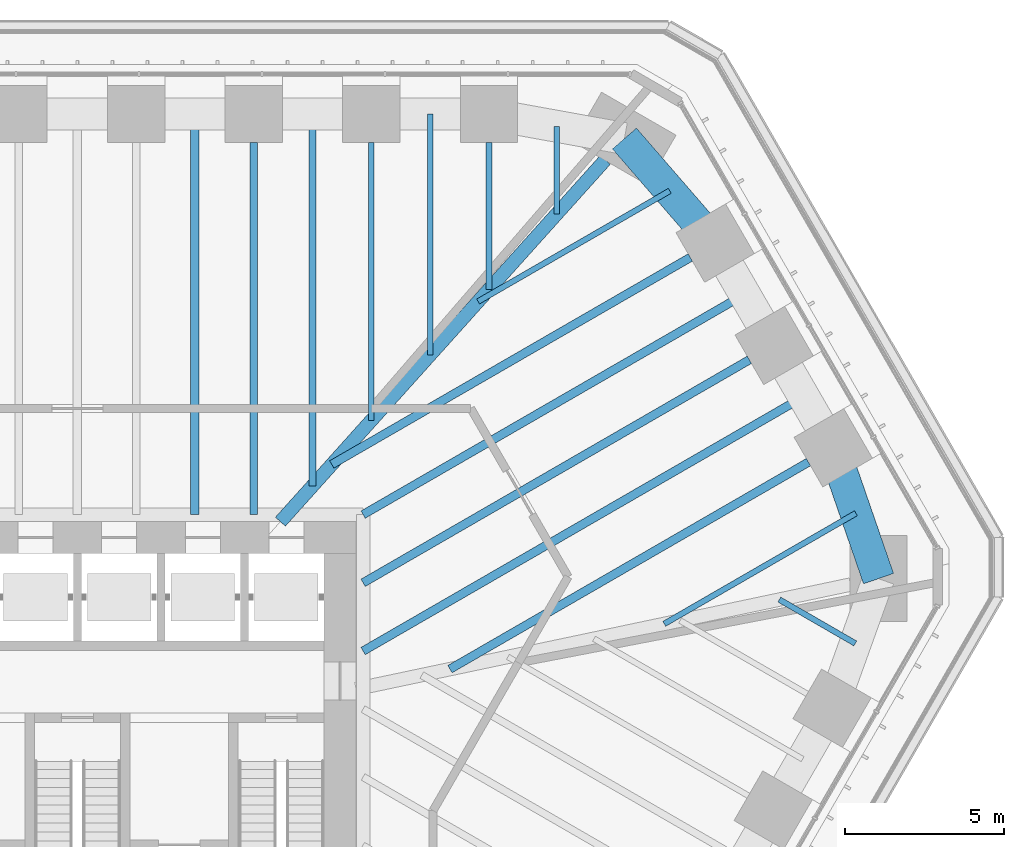
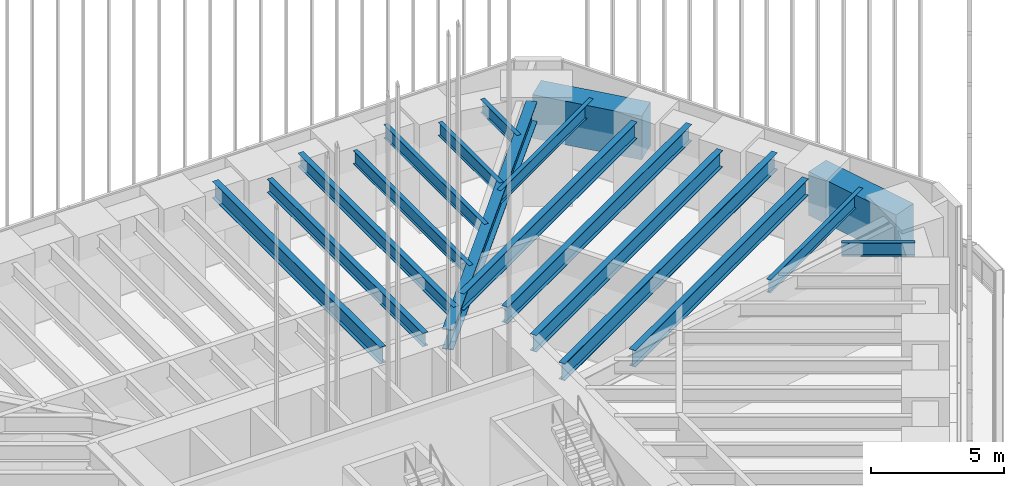
# One storey, part 177 of 228: 18 beams.
"""IFC4 building model written with IfcOpenShell, lengths in metres."""

from ifc_helpers import new_model, si_unit, direction, frame, origin, origin_2d, place, context, subcontext, project, spatial, rectangle, i_section, extrude, material, material_profile, profile_set, type_object, element, save


model = new_model("IFC4")

# Units and contexts
model_context = context("Model", 3, precision=1e-05, world=origin(), true_north=direction((0.0, 1.0)))
body_context = subcontext(model_context, "Body", "Model", "MODEL_VIEW")
ifc_project = project(units=[si_unit("LENGTHUNIT", "METRE"), si_unit("AREAUNIT", "SQUARE_METRE"), si_unit("VOLUMEUNIT", "CUBIC_METRE"), si_unit("PLANEANGLEUNIT", "RADIAN"), si_unit("MASSUNIT", "GRAM", prefix="KILO")], contexts=[model_context])

# Site, building, storey
site_placement = place(None, origin())
site = spatial("IfcSite", under=ifc_project, at=site_placement, CompositionType="ELEMENT")
building_placement = place(site_placement, origin())
building = spatial("IfcBuilding", under=site, at=building_placement, Name="Sandreach Pilgrim Tower", CompositionType="ELEMENT")
storey_placement = place(building_placement, frame((0.0, 0.0, 178.199951171875)))
storey = spatial("IfcBuildingStorey", under=building, at=storey_placement, Name="L44", CompositionType="ELEMENT", Elevation=178.199951171875)

# Beams
ifc_material_1 = material(Name="Steel ASTM A992 Grade 50", Category="steel")
ifc_material_profile_1 = material_profile(ifc_material_1, i_section(OverallWidth=0.421630859375, OverallDepth=0.937255859375, WebThickness=0.0224609375, FlangeThickness=0.039794921875, at=origin_2d()), Name="W36X282")
ifc_profile_set_1 = profile_set([ifc_material_profile_1], Name="Steel ASTM A992 Grade 50")
beam_type_1 = type_object("IfcBeamType", Name="Corner girder W36X282", PredefinedType="BEAM", material=ifc_profile_set_1)
beam_1_placement = place(storey_placement, frame((16.57666015625, 18.4609375, 4.371337890625), z_axis=(-0.668110921251, -0.744061688911, 0.0), x_axis=(0.744061688911, -0.668110921251, 0.0)))
element("IfcBeam", 1, at=beam_1_placement, inside=storey, type_object=beam_type_1, Name="BM L44 CG09", PredefinedType="BEAM", context=body_context, shape_type="SweptSolid", body=[
    extrude(i_section(OverallWidth=0.421630859375, OverallDepth=0.937255859375, WebThickness=0.0224609375, FlangeThickness=0.039794921875, at=origin_2d()), origin(), (0.0, 0.0, 1.0), 15.268798828125),
])
ifc_material_2 = material(Name="Steel ASTM A992 Grade 50", Category="steel")
ifc_material_profile_2 = material_profile(ifc_material_2, i_section(OverallWidth=0.1787109375, OverallDepth=0.60205078125, WebThickness=0.010986328125, FlangeThickness=0.014892578125, at=origin_2d()), Name="W24X62")
ifc_profile_set_2 = profile_set([ifc_material_profile_2], Name="Steel ASTM A992 Grade 50")
beam_type_2 = type_object("IfcBeamType", Name="Floor beam W24X62", PredefinedType="BEAM", material=ifc_profile_set_2)
beam_2_placement = place(storey_placement, frame((9.231201171875, 19.0, 4.5390625), z_axis=(0.0, -1.0, 0.0), x_axis=(1.0, 0.0, 0.0)))
element("IfcBeam", 2, at=beam_2_placement, inside=storey, type_object=beam_type_2, Name="BM L44 F07", PredefinedType="BEAM", context=body_context, shape_type="SweptSolid", body=[
    extrude(i_section(OverallWidth=0.1787109375, OverallDepth=0.60205078125, WebThickness=0.010986328125, FlangeThickness=0.014892578125, at=origin_2d()), origin(), (0.0, 0.0, 1.0), 8.719482421875),
])
beam_3_placement = place(storey_placement, frame((12.923828125, 19.0, 4.5390625), z_axis=(0.0, -1.0, 0.0), x_axis=(1.0, 0.0, 0.0)))
element("IfcBeam", 3, at=beam_3_placement, inside=storey, type_object=beam_type_2, Name="BM L44 F08", PredefinedType="BEAM", context=body_context, shape_type="SweptSolid", body=[
    extrude(i_section(OverallWidth=0.1787109375, OverallDepth=0.60205078125, WebThickness=0.010986328125, FlangeThickness=0.014892578125, at=origin_2d()), origin(), (0.0, 0.0, 1.0), 4.607421875),
])
beam_4_placement = place(storey_placement, frame((11.077392578125, 19.900146484375, 4.5390625), z_axis=(0.0, -1.0, 0.0), x_axis=(1.0, 0.0, 0.0)))
element("IfcBeam", 4, at=beam_4_placement, inside=storey, type_object=beam_type_2, Name="BM L44 FM07", PredefinedType="BEAM", context=body_context, shape_type="SweptSolid", body=[
    extrude(i_section(OverallWidth=0.1787109375, OverallDepth=0.60205078125, WebThickness=0.010986328125, FlangeThickness=0.014892578125, at=origin_2d()), origin(), (0.0, 0.0, 1.0), 7.563720703125),
])
beam_5_placement = place(storey_placement, frame((15.05078125, 19.515380859375, 4.5390625), z_axis=(0.0, -1.0, 0.0), x_axis=(1.0, 0.0, 0.0)))
element("IfcBeam", 5, at=beam_5_placement, inside=storey, type_object=beam_type_2, Name="BM L44 FM08", PredefinedType="BEAM", context=body_context, shape_type="SweptSolid", body=[
    extrude(i_section(OverallWidth=0.1787109375, OverallDepth=0.60205078125, WebThickness=0.010986328125, FlangeThickness=0.014892578125, at=origin_2d()), origin(), (0.0, 0.0, 1.0), 2.75390625),
])
for number, where, z_axis, x_axis, name in (
    (6, (18.6015625, 17.48828125, 4.5390625), (-0.866029381593, -0.499993110171, 0.0), (0.499993110171, -0.866029381593, 0.0), "BM L44 FM09"),
    (7, (24.446044921875, 7.365234375, 4.5390625), (-0.866029381593, -0.499993110171, 0.0), (0.499993110171, -0.866029381593, 0.0), "BM L44 FM12"),
):
    element("IfcBeam", number, at=place(storey_placement, frame(where, z_axis=z_axis, x_axis=x_axis)), inside=storey, type_object=beam_type_2, Name=name, PredefinedType="BEAM", context=body_context, shape_type="SweptSolid", body=[
        extrude(i_section(OverallWidth=0.1787109375, OverallDepth=0.60205078125, WebThickness=0.010986328125, FlangeThickness=0.014892578125, at=origin_2d()), origin(), (0.0, 0.0, 1.0), 6.94921875),
    ])
beam_6_placement = place(storey_placement, frame((24.42626953125, 3.27685546875, 4.5390625), z_axis=(-0.866046803606, 0.49996293259, 0.0), x_axis=(-0.49996293259, -0.866046803606, 0.0)))
element("IfcBeam", 8, at=beam_6_placement, inside=storey, type_object=beam_type_2, Name="BM L44 FM13", PredefinedType="BEAM", context=body_context, shape_type="SweptSolid", body=[
    extrude(i_section(OverallWidth=0.1787109375, OverallDepth=0.60205078125, WebThickness=0.010986328125, FlangeThickness=0.014892578125, at=origin_2d()), origin(), (0.0, 0.0, 1.0), 2.753662109375),
])
ifc_material_3 = material(Name="Steel ASTM A992 Grade 50", Category="steel")
ifc_material_profile_3 = material_profile(ifc_material_3, i_section(OverallWidth=0.23046875, OverallDepth=0.6171875, WebThickness=0.01318359375, FlangeThickness=0.022216796875, at=origin_2d()), Name="W24X94")
ifc_profile_set_3 = profile_set([ifc_material_profile_3], Name="Steel ASTM A992 Grade 50")
beam_type_3 = type_object("IfcBeamType", Name="Floor beam W24X94", PredefinedType="BEAM", material=ifc_profile_set_3)
beam_7_placement = place(storey_placement, frame((5.538818359375, 19.0, 4.531494140625), z_axis=(0.0, -1.0, 0.0), x_axis=(1.0, 0.0, 0.0)))
element("IfcBeam", 9, at=beam_7_placement, inside=storey, type_object=beam_type_3, Name="BM L44 F06", PredefinedType="BEAM", context=body_context, shape_type="SweptSolid", body=[
    extrude(i_section(OverallWidth=0.23046875, OverallDepth=0.6171875, WebThickness=0.01318359375, FlangeThickness=0.022216796875, at=origin_2d()), origin(), (0.0, 0.0, 1.0), 11.677978515625),
])
beam_8_placement = place(storey_placement, frame((7.385009765625, 19.900146484375, 4.531494140625), z_axis=(0.0, -1.0, 0.0), x_axis=(1.0, 0.0, 0.0)))
element("IfcBeam", 10, at=beam_8_placement, inside=storey, type_object=beam_type_3, Name="BM L44 FM06", PredefinedType="BEAM", context=body_context, shape_type="SweptSolid", body=[
    extrude(i_section(OverallWidth=0.23046875, OverallDepth=0.6171875, WebThickness=0.01318359375, FlangeThickness=0.022216796875, at=origin_2d()), origin(), (0.0, 0.0, 1.0), 11.67578125),
])
ifc_material_4 = material(Name="Steel ASTM A992 Grade 50", Category="steel")
ifc_material_profile_4 = material_profile(ifc_material_4, i_section(OverallWidth=0.2666015625, OverallDepth=0.761962890625, WebThickness=0.014404296875, FlangeThickness=0.021484375, at=origin_2d()), Name="W30X116")
ifc_profile_set_4 = profile_set([ifc_material_profile_4], Name="Steel ASTM A992 Grade 50")
beam_type_4 = type_object("IfcBeamType", Name="Floor beam W30X116", PredefinedType="BEAM", material=ifc_profile_set_4)
beam_9_placement = place(storey_placement, frame((19.24560546875, 15.395751953125, 4.458984375), z_axis=(-0.866029195513, -0.499993432475, 0.0), x_axis=(0.499993432475, -0.866029195513, 0.0)))
element("IfcBeam", 11, at=beam_9_placement, inside=storey, type_object=beam_type_4, Name="BM L44 F10", PredefinedType="BEAM", context=body_context, shape_type="SweptSolid", body=[
    extrude(i_section(OverallWidth=0.2666015625, OverallDepth=0.761962890625, WebThickness=0.014404296875, FlangeThickness=0.021484375, at=origin_2d()), origin(), (0.0, 0.0, 1.0), 12.998291015625),
])
beam_10_placement = place(storey_placement, frame((21.100830078125, 12.1826171875, 4.458984375), z_axis=(-0.866019244392, -0.500010668228, 0.0), x_axis=(0.500010668228, -0.866019244392, 0.0)))
element("IfcBeam", 12, at=beam_10_placement, inside=storey, type_object=beam_type_4, Name="BM L44 F11", PredefinedType="BEAM", context=body_context, shape_type="SweptSolid", body=[
    extrude(i_section(OverallWidth=0.2666015625, OverallDepth=0.761962890625, WebThickness=0.014404296875, FlangeThickness=0.021484375, at=origin_2d()), origin(), (0.0, 0.0, 1.0), 14.005126953125),
])
beam_11_placement = place(storey_placement, frame((22.9560546875, 8.96923828125, 4.458984375), z_axis=(-0.86602575807, -0.499999386358, 0.0), x_axis=(0.499999386358, -0.86602575807, 0.0)))
element("IfcBeam", 13, at=beam_11_placement, inside=storey, type_object=beam_type_4, Name="BM L44 F12", PredefinedType="BEAM", context=body_context, shape_type="SweptSolid", body=[
    extrude(i_section(OverallWidth=0.2666015625, OverallDepth=0.761962890625, WebThickness=0.014404296875, FlangeThickness=0.021484375, at=origin_2d()), origin(), (0.0, 0.0, 1.0), 12.99853515625),
])
beam_12_placement = place(storey_placement, frame((3.6923828125, 19.900146484375, 4.458984375), z_axis=(0.0, -1.0, 0.0), x_axis=(1.0, 0.0, 0.0)))
element("IfcBeam", 14, at=beam_12_placement, inside=storey, type_object=beam_type_4, Name="BM L44 FM05", PredefinedType="BEAM", context=body_context, shape_type="SweptSolid", body=[
    extrude(i_section(OverallWidth=0.2666015625, OverallDepth=0.761962890625, WebThickness=0.014404296875, FlangeThickness=0.021484375, at=origin_2d()), origin(), (0.0, 0.0, 1.0), 12.578125),
])
beam_13_placement = place(storey_placement, frame((20.95263671875, 14.2392578125, 4.458984375), z_axis=(-0.866020129177, -0.500009135777, 0.0), x_axis=(0.500009135777, -0.866020129177, 0.0)))
element("IfcBeam", 15, at=beam_13_placement, inside=storey, type_object=beam_type_4, Name="BM L44 FM10", PredefinedType="BEAM", context=body_context, shape_type="SweptSolid", body=[
    extrude(i_section(OverallWidth=0.2666015625, OverallDepth=0.761962890625, WebThickness=0.014404296875, FlangeThickness=0.021484375, at=origin_2d()), origin(), (0.0, 0.0, 1.0), 13.834228515625),
])
ifc_material_5 = material(Name="Steel ASTM A992 Grade 50", Category="steel")
ifc_material_profile_5 = material_profile(ifc_material_5, i_section(OverallWidth=0.2666015625, OverallDepth=0.77978515625, WebThickness=0.0166015625, FlangeThickness=0.030029296875, at=origin_2d()), Name="W30X148")
ifc_profile_set_5 = profile_set([ifc_material_profile_5], Name="Steel ASTM A992 Grade 50")
beam_type_5 = type_object("IfcBeamType", Name="Floor beam W30X148", PredefinedType="BEAM", material=ifc_profile_set_5)
beam_14_placement = place(storey_placement, frame((22.807861328125, 11.02587890625, 4.4501953125), z_axis=(-0.866025516972, -0.499999803953, 0.0), x_axis=(0.499999803953, -0.866025516972, 0.0)))
element("IfcBeam", 16, at=beam_14_placement, inside=storey, type_object=beam_type_5, Name="BM L44 FM11", PredefinedType="BEAM", context=body_context, shape_type="SweptSolid", body=[
    extrude(i_section(OverallWidth=0.2666015625, OverallDepth=0.77978515625, WebThickness=0.0166015625, FlangeThickness=0.030029296875, at=origin_2d()), origin(), (0.0, 0.0, 1.0), 15.97607421875),
])
ifc_material_6 = material(Name="Concrete 10000 psi", Category="concrete")
ifc_material_profile_6 = material_profile(ifc_material_6, rectangle(XDim=1.0, YDim=2.0, at=origin_2d()), Name="RC1000X2000")
ifc_profile_set_6 = profile_set([ifc_material_profile_6], Name="Concrete 10000 psi")
beam_type_6 = type_object("IfcBeamType", Name="Spandrel beam RC1000X2000", PredefinedType="SPANDREL", material=ifc_profile_set_6)
beam_15_placement = place(storey_placement, frame((17.177978515625, 19.130615234375, 3.840087890625), z_axis=(0.65499040715, -0.755637192402, 0.0), x_axis=(0.755637192402, 0.65499040715, 0.0)))
element("IfcBeam", 17, at=beam_15_placement, inside=storey, type_object=beam_type_6, Name="BM L44 SP09", PredefinedType="SPANDREL", context=body_context, shape_type="SweptSolid", body=[
    extrude(rectangle(XDim=1.0, YDim=2.0, at=origin_2d()), origin(), (0.0, 0.0, 1.0), 4.346923828125),
])
beam_16_placement = place(storey_placement, frame((23.7353515625, 9.419189453125, 3.840087890625), z_axis=(0.326940800053, -0.945044820768, 0.0), x_axis=(0.945044820768, 0.326940800053, 0.0)))
element("IfcBeam", 18, at=beam_16_placement, inside=storey, type_object=beam_type_6, Name="BM L44 SP12", PredefinedType="SPANDREL", context=body_context, shape_type="SweptSolid", body=[
    extrude(rectangle(XDim=1.0, YDim=2.0, at=origin_2d()), origin(), (0.0, 0.0, 1.0), 4.3466796875),
])

save(model, "model.ifc")
